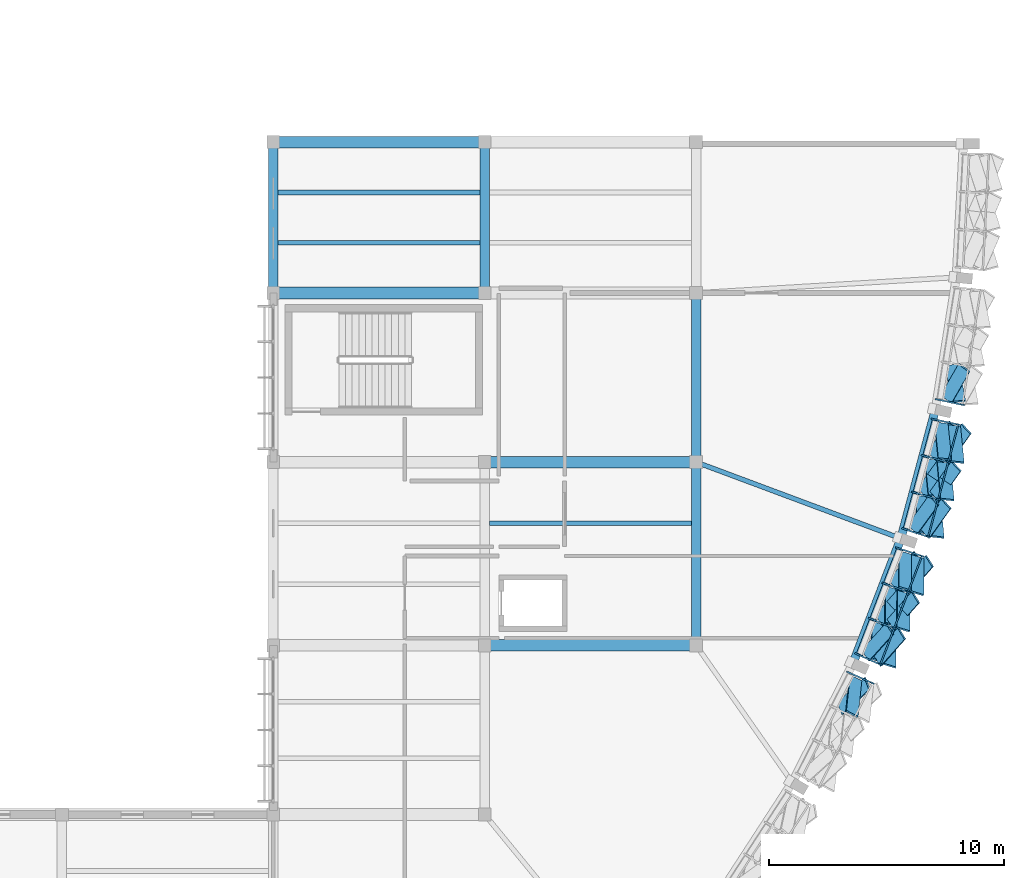
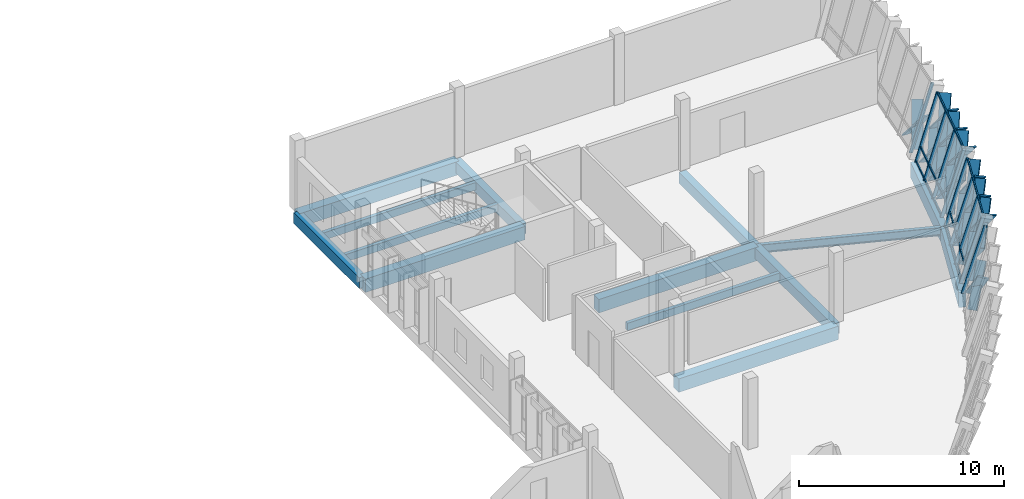
# One storey, part 58 of 94: 44 members, 14 beams, 4 elements without a shape of their own.
"""IFC4 building model written with IfcOpenShell, lengths in metres."""

from ifc_helpers import new_model, si_unit, direction, frame, origin, origin_2d, place, context, subcontext, project, spatial, rectangle, hollow_rectangle, i_section, extrude, material, material_profile, profile_set, type_object, element, aggregate, save


model = new_model("IFC4")

# Units and contexts
model_context = context("Model", 3, precision=1e-05, world=origin(), true_north=direction((0.0, 1.0)))
body_context = subcontext(model_context, "Body", "Model", "MODEL_VIEW")
ifc_project = project(units=[si_unit("LENGTHUNIT", "METRE"), si_unit("AREAUNIT", "SQUARE_METRE"), si_unit("VOLUMEUNIT", "CUBIC_METRE"), si_unit("PLANEANGLEUNIT", "RADIAN"), si_unit("MASSUNIT", "GRAM", prefix="KILO")], contexts=[model_context])

# Site, building, storey
site_placement = place(None, origin())
site = spatial("IfcSite", under=ifc_project, at=site_placement, CompositionType="ELEMENT")
building_placement = place(site_placement, origin())
building = spatial("IfcBuilding", under=site, at=building_placement, Name="Chiffa Square Polytechnic", CompositionType="ELEMENT")
storey_placement = place(building_placement, frame((0.0, 0.0, 18.0)))
storey = spatial("IfcBuildingStorey", under=building, at=storey_placement, Name="L04", CompositionType="ELEMENT", Elevation=18.0)

# Beams
ifc_material_1 = material(Name="Concrete C35/45", Category="concrete")
ifc_material_profile_1 = material_profile(ifc_material_1, rectangle(XDim=0.39990234375, YDim=0.64990234375, at=origin_2d()), Name="RC 400x650")
ifc_profile_set_1 = profile_set([ifc_material_profile_1], Name="Concrete C35/45")
beam_type_1 = type_object("IfcBeamType", Name="BM-RC-400X650", PredefinedType="BEAM", material=ifc_profile_set_1)
for number, where, z_axis, x_axis, name in (
    (1, (148.199951171875, 51.0, -0.56494140625), (0.0, 1.0, 0.0), (-1.0, 0.0, 0.0), "Primary floor girder BM-V1-L04-Y-1482-0510"),
    (2, (157.199951171875, 51.0, -0.56494140625), (0.0, 1.0, 0.0), (-1.0, 0.0, 0.0), "Primary floor girder BM-V1-L04-Y-1572-0510"),
):
    element("IfcBeam", number, at=place(storey_placement, frame(where, z_axis=z_axis, x_axis=x_axis)), inside=storey, type_object=beam_type_1, Name=name, PredefinedType="BEAM", context=body_context, shape_type="SweptSolid", body=[
        extrude(rectangle(XDim=0.39990234375, YDim=0.64990234375, at=origin_2d()), origin(), (0.0, 0.0, 1.0), 6.419921875),
    ])
beam_1_placement = place(storey_placement, frame((166.199951171875, 36.0, -0.56494140625), z_axis=(0.0, 1.0, 0.0), x_axis=(-1.0, 0.0, 0.0)))
element("IfcBeam", 3, at=beam_1_placement, inside=storey, type_object=beam_type_1, Name="Primary floor girder BM-V1-L04-Y-1662-0360", PredefinedType="BEAM", context=body_context, shape_type="SweptSolid", body=[
    extrude(rectangle(XDim=0.39990234375, YDim=0.64990234375, at=origin_2d()), origin(), (0.0, 0.0, 1.0), 7.800048828125),
])
beam_2_placement = place(storey_placement, frame((166.199951171875, 43.800048828125, -0.56494140625), z_axis=(0.0, 1.0, 0.0), x_axis=(-1.0, 0.0, 0.0)))
element("IfcBeam", 4, at=beam_2_placement, inside=storey, type_object=beam_type_1, Name="Primary floor girder BM-V1-L04-Y-1662-0438", PredefinedType="BEAM", context=body_context, shape_type="SweptSolid", body=[
    extrude(rectangle(XDim=0.39990234375, YDim=0.64990234375, at=origin_2d()), origin(), (0.0, 0.0, 1.0), 7.199951171875),
])
ifc_material_2 = material(Name="Concrete C40/50", Category="concrete")
ifc_material_profile_2 = material_profile(ifc_material_2, rectangle(XDim=0.5, YDim=0.800048828125, at=origin_2d()), Name="RC 500x800")
ifc_profile_set_2 = profile_set([ifc_material_profile_2], Name="Concrete C40/50")
beam_type_2 = type_object("IfcBeamType", Name="BM-RC-500X800", PredefinedType="BEAM", material=ifc_profile_set_2)
for number, where, z_axis, x_axis, name in (
    (5, (157.199951171875, 36.0, -0.639892578125), (1.0, 0.0, 0.0), (0.0, 1.0, 0.0), "Primary floor girder BM-V1-L04-X-1572-0360"),
    (6, (157.199951171875, 43.800048828125, -0.639892578125), (1.0, 0.0, 0.0), (0.0, 1.0, 0.0), "Primary floor girder BM-V1-L04-X-1572-0438"),
    (7, (148.199951171875, 51.0, -0.639892578125), (1.0, 0.0, 0.0), (0.0, 1.0, 0.0), "Primary floor girder BM-V1-L04-X-1482-0510"),
    (8, (148.199951171875, 57.419921875, -0.639892578125), (1.0, 0.0, 0.0), (0.0, 1.0, 0.0), "Primary floor girder BM-V1-L04-X-1482-0574"),
):
    element("IfcBeam", number, at=place(storey_placement, frame(where, z_axis=z_axis, x_axis=x_axis)), inside=storey, type_object=beam_type_2, Name=name, PredefinedType="BEAM", context=body_context, shape_type="SweptSolid", body=[
        extrude(rectangle(XDim=0.5, YDim=0.800048828125, at=origin_2d()), origin(), (0.0, 0.0, 1.0), 9.0),
    ])
ifc_material_3 = material(Name="Steel S355", Category="steel")
ifc_material_profile_3 = material_profile(ifc_material_3, i_section(OverallWidth=0.199951171875, OverallDepth=0.5, WebThickness=0.01025390625, FlangeThickness=0.01611328125, FilletRadius=0.02099609375, at=origin_2d()), Name="IPE 500")
ifc_profile_set_3 = profile_set([ifc_material_profile_3], Name="Steel S355")
beam_type_3 = type_object("IfcBeamType", Name="BM-STL-IPE500", PredefinedType="BEAM", material=ifc_profile_set_3)
beam_3_placement = place(storey_placement, frame((174.916015625, 40.547119140625, -0.489990234375), z_axis=(-0.936879114242, 0.349653435987, 0.0), x_axis=(-0.349653435987, -0.936879114242, 0.0)))
element("IfcBeam", 9, at=beam_3_placement, inside=storey, type_object=beam_type_3, Name="Prow radial tie girder BM-V1-RAD-L04-15", PredefinedType="BEAM", context=body_context, shape_type="SweptSolid", body=[
    extrude(i_section(OverallWidth=0.199951171875, OverallDepth=0.5, WebThickness=0.01025390625, FlangeThickness=0.01611328125, FilletRadius=0.02099609375, at=origin_2d()), origin(), (0.0, 0.0, 1.0), 9.30322265625),
])

# Curtain wall, member
ifc_material_4 = material(Name="Aluminium EN AW-6060 T66 and glulam shading", Category="wood")
curtain_wall_type_1 = type_object("IfcCurtainWallType", Name="CW-PROW-LEAN-150", PredefinedType="USERDEFINED", material=ifc_material_4)
curtain_wall_1_placement = place(storey_placement, origin())
curtain_wall_1 = element("IfcCurtainWall", 10, at=curtain_wall_1_placement, inside=storey, type_object=curtain_wall_type_1, Name="Outward-leaning diamond-fin prow curtain wall CW-V1-L04-073", ObjectType="CURTAIN WALL", PredefinedType="USERDEFINED")
ifc_material_5 = material(Name="Aluminium EN AW-6060 T66", Category="aluminium")
ifc_material_profile_4 = material_profile(ifc_material_5, hollow_rectangle(XDim=0.06494140625, YDim=0.179931640625, WallThickness=0.00390625, at=origin_2d()), Name="ALU 65x180x4")
ifc_profile_set_4 = profile_set([ifc_material_profile_4], Name="Aluminium EN AW-6060 T66")
member_type_1 = type_object("IfcMemberType", Name="CWM-ALU-75X180", PredefinedType="MULLION", material=ifc_profile_set_4)
member_1_placement = place(storey_placement, frame((172.680908203125, 34.85009765625, 0.0), z_axis=(0.24863593244, -0.110902358355, 0.962227021036), x_axis=(0.407357331692, 0.913268856535, 0.0)))
member_1 = element("IfcMember", 11, at=member_1_placement, type_object=member_type_1, Name="Leaning prow mullion CW-V1-L04-073-M03", PredefinedType="MULLION", context=body_context, shape_type="SweptSolid", body=[
    extrude(hollow_rectangle(XDim=0.06494140625, YDim=0.179931640625, WallThickness=0.00390625, at=origin_2d()), origin(), (0.0, 0.0, 1.0), 4.0947265625),
])

# Curtain wall, members
curtain_wall_type_2 = type_object("IfcCurtainWallType", Name="CW-PROW-LEAN-300", PredefinedType="USERDEFINED", material=ifc_material_4)
curtain_wall_2_placement = place(storey_placement, origin())
curtain_wall_2 = element("IfcCurtainWall", 12, at=curtain_wall_2_placement, inside=storey, type_object=curtain_wall_type_2, Name="Outward-leaning diamond-fin prow curtain wall CW-V1-L04-074", ObjectType="CURTAIN WALL", PredefinedType="USERDEFINED")
member_2_placement = place(storey_placement, frame((173.030029296875, 35.634033203125, 0.0), z_axis=(0.24863593244, -0.110902358355, 0.962227021036), x_axis=(0.407357331692, 0.913268856535, 0.0)))
member_2 = element("IfcMember", 13, at=member_2_placement, type_object=member_type_1, Name="Leaning prow mullion CW-V1-L04-074-M00", PredefinedType="MULLION", context=body_context, shape_type="SweptSolid", body=[
    extrude(hollow_rectangle(XDim=0.06494140625, YDim=0.179931640625, WallThickness=0.00390625, at=origin_2d()), origin(), (0.0, 0.0, 1.0), 4.0947265625),
])
member_3_placement = place(storey_placement, frame((173.607421875, 37.137939453125, 0.0), z_axis=(0.25205850254, -0.102027938927, 0.962318456113), x_axis=(0.375206216347, 0.926941365575, 0.0)))
member_3 = element("IfcMember", 14, at=member_3_placement, type_object=member_type_1, Name="Leaning prow mullion CW-V1-L04-074-M01", PredefinedType="MULLION", context=body_context, shape_type="SweptSolid", body=[
    extrude(hollow_rectangle(XDim=0.06494140625, YDim=0.179931640625, WallThickness=0.00390625, at=origin_2d()), origin(), (0.0, 0.0, 1.0), 4.09423828125),
])
member_4_placement = place(storey_placement, frame((174.184814453125, 38.64208984375, 0.0), z_axis=(0.255458604315, -0.093143403347, 0.962322818962), x_axis=(0.342552920447, 0.939498534695, 0.0)))
member_4 = element("IfcMember", 15, at=member_4_placement, type_object=member_type_1, Name="Leaning prow mullion CW-V1-L04-074-M02", PredefinedType="MULLION", context=body_context, shape_type="SweptSolid", body=[
    extrude(hollow_rectangle(XDim=0.06494140625, YDim=0.179931640625, WallThickness=0.00390625, at=origin_2d()), origin(), (0.0, 0.0, 1.0), 4.09423828125),
])
member_5_placement = place(storey_placement, frame((174.761962890625, 40.14599609375, 0.0), z_axis=(0.25889094396, -0.084249862694, 0.962225254175), x_axis=(0.309452500225, 0.95091490161, 0.0)))
member_5 = element("IfcMember", 16, at=member_5_placement, type_object=member_type_1, Name="Leaning prow mullion CW-V1-L04-074-M03", PredefinedType="MULLION", context=body_context, shape_type="SweptSolid", body=[
    extrude(hollow_rectangle(XDim=0.06494140625, YDim=0.179931640625, WallThickness=0.00390625, at=origin_2d()), origin(), (0.0, 0.0, 1.0), 4.0947265625),
])

curtain_wall_3_placement = place(storey_placement, origin())
curtain_wall_3 = element("IfcCurtainWall", 17, at=curtain_wall_3_placement, inside=storey, type_object=curtain_wall_type_1, Name="Outward-leaning diamond-fin prow curtain wall CW-V1-L04-075", ObjectType="CURTAIN WALL", PredefinedType="USERDEFINED")
member_6_placement = place(storey_placement, frame((175.027099609375, 40.9619140625, 0.0), z_axis=(0.258835314182, -0.084251163082, 0.962240106029), x_axis=(0.309516957678, 0.950893923058, 0.0)))
member_6 = element("IfcMember", 18, at=member_6_placement, type_object=member_type_1, Name="Leaning prow mullion CW-V1-L04-075-M00", PredefinedType="MULLION", context=body_context, shape_type="SweptSolid", body=[
    extrude(hollow_rectangle(XDim=0.06494140625, YDim=0.179931640625, WallThickness=0.00390625, at=origin_2d()), origin(), (0.0, 0.0, 1.0), 4.094482421875),
])
member_7_placement = place(storey_placement, frame((175.444091796875, 42.517578125, 0.0), z_axis=(0.261307319312, -0.07495739397, 0.962340830456), x_axis=(0.275734995842, 0.961233692745, 0.0)))
member_7 = element("IfcMember", 19, at=member_7_placement, type_object=member_type_1, Name="Leaning prow mullion CW-V1-L04-075-M01", PredefinedType="MULLION", context=body_context, shape_type="SweptSolid", body=[
    extrude(hollow_rectangle(XDim=0.06494140625, YDim=0.179931640625, WallThickness=0.00390625, at=origin_2d()), origin(), (0.0, 0.0, 1.0), 4.09423828125),
])
member_8_placement = place(storey_placement, frame((175.861083984375, 44.0732421875, 0.0), z_axis=(0.263754406278, -0.065714979814, 0.962348769728), x_axis=(0.241761251051, 0.970335765336, 0.0)))
member_8 = element("IfcMember", 20, at=member_8_placement, type_object=member_type_1, Name="Leaning prow mullion CW-V1-L04-075-M02", PredefinedType="MULLION", context=body_context, shape_type="SweptSolid", body=[
    extrude(hollow_rectangle(XDim=0.06494140625, YDim=0.179931640625, WallThickness=0.00390625, at=origin_2d()), origin(), (0.0, 0.0, 1.0), 4.093994140625),
])
member_9_placement = place(storey_placement, frame((176.278076171875, 45.62890625, 0.0), z_axis=(0.266178098485, -0.056407813881, 0.962271987756), x_axis=(0.207313557623, 0.978274546753, 0.0)))
member_9 = element("IfcMember", 21, at=member_9_placement, type_object=member_type_1, Name="Leaning prow mullion CW-V1-L04-075-M03", PredefinedType="MULLION", context=body_context, shape_type="SweptSolid", body=[
    extrude(hollow_rectangle(XDim=0.06494140625, YDim=0.179931640625, WallThickness=0.00390625, at=origin_2d()), origin(), (0.0, 0.0, 1.0), 4.094482421875),
])

# Curtain wall, member
curtain_wall_4_placement = place(storey_placement, origin())
curtain_wall_4 = element("IfcCurtainWall", 22, at=curtain_wall_4_placement, inside=storey, type_object=curtain_wall_type_2, Name="Outward-leaning diamond-fin prow curtain wall CW-V1-L04-076", ObjectType="CURTAIN WALL", PredefinedType="USERDEFINED")
member_10_placement = place(storey_placement, frame((176.4560546875, 46.468994140625, 0.0), z_axis=(0.266178098485, -0.056407813881, 0.962271987756), x_axis=(0.207313557623, 0.978274546753, 0.0)))
member_10 = element("IfcMember", 23, at=member_10_placement, type_object=member_type_1, Name="Leaning prow mullion CW-V1-L04-076-M00", PredefinedType="MULLION", context=body_context, shape_type="SweptSolid", body=[
    extrude(hollow_rectangle(XDim=0.06494140625, YDim=0.179931640625, WallThickness=0.00390625, at=origin_2d()), origin(), (0.0, 0.0, 1.0), 4.094482421875),
])

# Member
ifc_material_6 = material(Name="Glulam GL28h", Category="wood")
ifc_material_profile_5 = material_profile(ifc_material_6, rectangle(XDim=0.080078125, YDim=0.580078125, at=origin_2d()), Name="GL28h 80x580")
ifc_profile_set_5 = profile_set([ifc_material_profile_5], Name="Glulam GL28h")
member_type_2 = type_object("IfcMemberType", Name="CWM-GL-80X580", PredefinedType="MULLION", material=ifc_profile_set_5)
member_11_placement = place(storey_placement, frame((172.333984375, 33.319091796875, 0.0400390625), z_axis=(0.463085021633, 0.424806213002, 0.777876560988), x_axis=(-0.817640085083, -0.133977974713, 0.559923739055)))
member_11 = element("IfcMember", 24, at=member_11_placement, type_object=member_type_2, Name="Diamond glulam fin CW-V1-L04-073-DF05A", PredefinedType="MULLION", context=body_context, shape_type="SweptSolid", body=[
    extrude(rectangle(XDim=0.080078125, YDim=0.580078125, at=origin_2d()), origin(), (0.0, 0.0, 1.0), 2.48095703125),
])

member_12_placement = place(storey_placement, frame((172.985107421875, 34.595947265625, 0.0400390625), z_axis=(-0.065122757149, -0.616382925511, 0.784749078139), x_axis=(0.524943157032, 0.647646382987, 0.552257951041)))
member_12 = element("IfcMember", 25, at=member_12_placement, type_object=member_type_2, Name="Diamond glulam fin CW-V1-L04-073-DF05B", PredefinedType="MULLION", context=body_context, shape_type="SweptSolid", body=[
    extrude(rectangle(XDim=0.080078125, YDim=0.580078125, at=origin_2d()), origin(), (0.0, 0.0, 1.0), 2.459228515625),
])

aggregate(curtain_wall_1, [member_1, member_11, member_12])

member_13_placement = place(storey_placement, frame((173.422119140625, 35.577880859375, 0.0400390625), z_axis=(0.41432375726, 0.460789973028, 0.784862041971), x_axis=(-0.756402859888, -0.305251126116, 0.578512284708)))
member_13 = element("IfcMember", 26, at=member_13_placement, type_object=member_type_2, Name="Diamond glulam fin CW-V1-L04-074-DF01A", PredefinedType="MULLION", context=body_context, shape_type="SweptSolid", body=[
    extrude(rectangle(XDim=0.080078125, YDim=0.580078125, at=origin_2d()), origin(), (0.0, 0.0, 1.0), 2.458984375),
])

member_14_placement = place(storey_placement, frame((173.93603515625, 36.9169921875, 0.0400390625), z_axis=(-0.00609791838, -0.628872421332, 0.777484593467), x_axis=(0.365388988243, 0.7223354935, 0.587130583518)))
member_14 = element("IfcMember", 27, at=member_14_placement, type_object=member_type_2, Name="Diamond glulam fin CW-V1-L04-074-DF01B", PredefinedType="MULLION", context=body_context, shape_type="SweptSolid", body=[
    extrude(rectangle(XDim=0.080078125, YDim=0.580078125, at=origin_2d()), origin(), (0.0, 0.0, 1.0), 2.482177734375),
])

member_15_placement = place(storey_placement, frame((173.9208984375, 35.35595703125, 1.969970703125), z_axis=(0.41512417997, 0.465741846115, 0.781509083749), x_axis=(-0.752984181411, -0.306203985554, 0.582455098506)))
member_15 = element("IfcMember", 28, at=member_15_placement, type_object=member_type_2, Name="Diamond glulam fin CW-V1-L04-074-DF02A", PredefinedType="MULLION", context=body_context, shape_type="SweptSolid", body=[
    extrude(rectangle(XDim=0.080078125, YDim=0.580078125, at=origin_2d()), origin(), (0.0, 0.0, 1.0), 2.469482421875),
])

member_16_placement = place(storey_placement, frame((174.44091796875, 36.7109375, 1.969970703125), z_axis=(-0.008426374981, -0.632468029112, 0.774540630539), x_axis=(0.36796910484, 0.718257690633, 0.590512174074)))
member_16 = element("IfcMember", 29, at=member_16_placement, type_object=member_type_2, Name="Diamond glulam fin CW-V1-L04-074-DF02B", PredefinedType="MULLION", context=body_context, shape_type="SweptSolid", body=[
    extrude(rectangle(XDim=0.080078125, YDim=0.580078125, at=origin_2d()), origin(), (0.0, 0.0, 1.0), 2.49169921875),
])

member_17_placement = place(storey_placement, frame((174.0, 37.08203125, 0.0400390625), z_axis=(0.415312243438, 0.465916686237, 0.781304922508), x_axis=(-0.752869155968, -0.306032682982, 0.582693771152)))
member_17 = element("IfcMember", 30, at=member_17_placement, type_object=member_type_2, Name="Diamond glulam fin CW-V1-L04-074-DF03A", PredefinedType="MULLION", context=body_context, shape_type="SweptSolid", body=[
    extrude(rectangle(XDim=0.080078125, YDim=0.580078125, at=origin_2d()), origin(), (0.0, 0.0, 1.0), 2.47021484375),
])

member_18_placement = place(storey_placement, frame((174.513916015625, 38.4208984375, 0.0400390625), z_axis=(-0.003162557099, -0.624209707344, 0.781250433273), x_axis=(0.362058604056, 0.72753510464, 0.582757444179)))
member_18 = element("IfcMember", 31, at=member_18_placement, type_object=member_type_2, Name="Diamond glulam fin CW-V1-L04-074-DF03B", PredefinedType="MULLION", context=body_context, shape_type="SweptSolid", body=[
    extrude(rectangle(XDim=0.080078125, YDim=0.580078125, at=origin_2d()), origin(), (0.0, 0.0, 1.0), 2.47021484375),
])

member_19_placement = place(storey_placement, frame((174.506103515625, 36.87890625, 1.969970703125), z_axis=(0.416161993491, 0.470212841474, 0.778273138998), x_axis=(-0.749904469166, -0.306578208111, 0.586219318546)))
member_19 = element("IfcMember", 32, at=member_19_placement, type_object=member_type_2, Name="Diamond glulam fin CW-V1-L04-074-DF04A", PredefinedType="MULLION", context=body_context, shape_type="SweptSolid", body=[
    extrude(rectangle(XDim=0.080078125, YDim=0.580078125, at=origin_2d()), origin(), (0.0, 0.0, 1.0), 2.479736328125),
])

member_20_placement = place(storey_placement, frame((175.02587890625, 38.23291015625, 1.969970703125), z_axis=(-0.006004393438, -0.628098926677, 0.778110329945), x_axis=(0.365295646872, 0.722969674546, 0.586407656893)))
member_20 = element("IfcMember", 33, at=member_20_placement, type_object=member_type_2, Name="Diamond glulam fin CW-V1-L04-074-DF04B", PredefinedType="MULLION", context=body_context, shape_type="SweptSolid", body=[
    extrude(rectangle(XDim=0.080078125, YDim=0.580078125, at=origin_2d()), origin(), (0.0, 0.0, 1.0), 2.480224609375),
])

member_21_placement = place(storey_placement, frame((174.576904296875, 38.5869140625, 0.0400390625), z_axis=(0.416414621471, 0.470729572097, 0.777825515767), x_axis=(-0.749552786162, -0.306448105107, 0.586736891318)))
member_21 = element("IfcMember", 34, at=member_21_placement, type_object=member_type_2, Name="Diamond glulam fin CW-V1-L04-074-DF05A", PredefinedType="MULLION", context=body_context, shape_type="SweptSolid", body=[
    extrude(rectangle(XDim=0.080078125, YDim=0.580078125, at=origin_2d()), origin(), (0.0, 0.0, 1.0), 2.481201171875),
])

member_22_placement = place(storey_placement, frame((175.091064453125, 39.925048828125, 0.0400390625), z_axis=(-0.000397103586, -0.61977942194, 0.784775961946), x_axis=(0.358837298589, 0.732421714268, 0.578614055835)))
member_22 = element("IfcMember", 35, at=member_22_placement, type_object=member_type_2, Name="Diamond glulam fin CW-V1-L04-074-DF05B", PredefinedType="MULLION", context=body_context, shape_type="SweptSolid", body=[
    extrude(rectangle(XDim=0.080078125, YDim=0.580078125, at=origin_2d()), origin(), (0.0, 0.0, 1.0), 2.459228515625),
])

member_23_placement = place(storey_placement, frame((175.090087890625, 38.40087890625, 1.969970703125), z_axis=(0.417003480648, 0.475315365721, 0.774715044541), x_axis=(-0.746372568877, -0.307341617617, 0.590312729414)))
member_23 = element("IfcMember", 36, at=member_23_placement, type_object=member_type_2, Name="Diamond glulam fin CW-V1-L04-074-DF06A", PredefinedType="MULLION", context=body_context, shape_type="SweptSolid", body=[
    extrude(rectangle(XDim=0.080078125, YDim=0.580078125, at=origin_2d()), origin(), (0.0, 0.0, 1.0), 2.4912109375),
])

member_24_placement = place(storey_placement, frame((175.610107421875, 39.7548828125, 1.969970703125), z_axis=(-0.002867661412, -0.623666914596, 0.781684946866), x_axis=(0.361719636685, 0.728110269837, 0.582249379042)))
member_24 = element("IfcMember", 37, at=member_24_placement, type_object=member_type_2, Name="Diamond glulam fin CW-V1-L04-074-DF06B", PredefinedType="MULLION", context=body_context, shape_type="SweptSolid", body=[
    extrude(rectangle(XDim=0.080078125, YDim=0.580078125, at=origin_2d()), origin(), (0.0, 0.0, 1.0), 2.468994140625),
])

member_25_placement = place(storey_placement, frame((175.423095703125, 40.947021484375, 0.0400390625), z_axis=(0.363932153123, 0.501722068162, 0.784747318723), x_axis=(-0.654579298055, -0.461615551469, 0.598696104212)))
member_25 = element("IfcMember", 38, at=member_25_placement, type_object=member_type_2, Name="Diamond glulam fin CW-V1-L04-075-DF01A", PredefinedType="MULLION", context=body_context, shape_type="SweptSolid", body=[
    extrude(rectangle(XDim=0.080078125, YDim=0.580078125, at=origin_2d()), origin(), (0.0, 0.0, 1.0), 2.459228515625),
])

member_26_placement = place(storey_placement, frame((175.7939453125, 42.33203125, 0.0400390625), z_axis=(0.059618824062, -0.62580089086, 0.777700997052), x_axis=(0.186409537243, 0.772361601426, 0.607214164086)))
member_26 = element("IfcMember", 39, at=member_26_placement, type_object=member_type_2, Name="Diamond glulam fin CW-V1-L04-075-DF01B", PredefinedType="MULLION", context=body_context, shape_type="SweptSolid", body=[
    extrude(rectangle(XDim=0.080078125, YDim=0.580078125, at=origin_2d()), origin(), (0.0, 0.0, 1.0), 2.481689453125),
])

member_27_placement = place(storey_placement, frame((175.94189453125, 40.779052734375, 1.969970703125), z_axis=(0.364536359783, 0.506218107429, 0.781573074067), x_axis=(-0.65119210669, -0.461381603378, 0.602557761753)))
member_27 = element("IfcMember", 40, at=member_27_placement, type_object=member_type_2, Name="Diamond glulam fin CW-V1-L04-075-DF02A", PredefinedType="MULLION", context=body_context, shape_type="SweptSolid", body=[
    extrude(rectangle(XDim=0.080078125, YDim=0.580078125, at=origin_2d()), origin(), (0.0, 0.0, 1.0), 2.46923828125),
])

member_28_placement = place(storey_placement, frame((176.318115234375, 42.180908203125, 1.969970703125), z_axis=(0.057706050954, -0.629965887321, 0.774475947009), x_axis=(0.189499566829, 0.768576836132, 0.611047920489)))
member_28 = element("IfcMember", 41, at=member_28_placement, type_object=member_type_2, Name="Diamond glulam fin CW-V1-L04-075-DF02B", PredefinedType="MULLION", context=body_context, shape_type="SweptSolid", body=[
    extrude(rectangle(XDim=0.080078125, YDim=0.580078125, at=origin_2d()), origin(), (0.0, 0.0, 1.0), 2.491943359375),
])

member_29_placement = place(storey_placement, frame((175.840087890625, 42.5029296875, 0.0400390625), z_axis=(0.364304659768, 0.506824279786, 0.781288208212), x_axis=(-0.650630434634, -0.461723725399, 0.602902346099)))
member_29 = element("IfcMember", 42, at=member_29_placement, type_object=member_type_2, Name="Diamond glulam fin CW-V1-L04-075-DF03A", PredefinedType="MULLION", context=body_context, shape_type="SweptSolid", body=[
    extrude(rectangle(XDim=0.080078125, YDim=0.580078125, at=origin_2d()), origin(), (0.0, 0.0, 1.0), 2.47021484375),
])

member_30_placement = place(storey_placement, frame((176.2109375, 43.887939453125, 0.0400390625), z_axis=(0.061973515072, -0.62102008803, 0.781340728295), x_axis=(0.182596526851, 0.776687737283, 0.602838840103)))
member_30 = element("IfcMember", 43, at=member_30_placement, type_object=member_type_2, Name="Diamond glulam fin CW-V1-L04-075-DF03B", PredefinedType="MULLION", context=body_context, shape_type="SweptSolid", body=[
    extrude(rectangle(XDim=0.080078125, YDim=0.580078125, at=origin_2d()), origin(), (0.0, 0.0, 1.0), 2.469970703125),
])

member_31_placement = place(storey_placement, frame((176.364013671875, 42.35400390625, 1.969970703125), z_axis=(0.364892411715, 0.511262796452, 0.778115596063), x_axis=(-0.647293006864, -0.461415813264, 0.606718394755)))
member_31 = element("IfcMember", 44, at=member_31_placement, type_object=member_type_2, Name="Diamond glulam fin CW-V1-L04-075-DF04A", PredefinedType="MULLION", context=body_context, shape_type="SweptSolid", body=[
    extrude(rectangle(XDim=0.080078125, YDim=0.580078125, at=origin_2d()), origin(), (0.0, 0.0, 1.0), 2.480224609375),
])

member_32_placement = place(storey_placement, frame((176.739990234375, 43.7548828125, 1.969970703125), z_axis=(0.060044189776, -0.62524703845, 0.778113639633), x_axis=(0.185786107306, 0.77289939261, 0.606720735788)))
member_32 = element("IfcMember", 45, at=member_32_placement, type_object=member_type_2, Name="Diamond glulam fin CW-V1-L04-075-DF04B", PredefinedType="MULLION", context=body_context, shape_type="SweptSolid", body=[
    extrude(rectangle(XDim=0.080078125, YDim=0.580078125, at=origin_2d()), origin(), (0.0, 0.0, 1.0), 2.480224609375),
])

member_33_placement = place(storey_placement, frame((176.257080078125, 44.05908203125, 0.0400390625), z_axis=(0.36467199716, 0.512134452985, 0.77764557258), x_axis=(-0.646525976703, -0.461751763081, 0.607280388898)))
member_33 = element("IfcMember", 46, at=member_33_placement, type_object=member_type_2, Name="Diamond glulam fin CW-V1-L04-075-DF05A", PredefinedType="MULLION", context=body_context, shape_type="SweptSolid", body=[
    extrude(rectangle(XDim=0.080078125, YDim=0.580078125, at=origin_2d()), origin(), (0.0, 0.0, 1.0), 2.481689453125),
])

member_34_placement = place(storey_placement, frame((176.6279296875, 45.444091796875, 0.0400390625), z_axis=(0.064229085677, -0.616480095912, 0.784746402284), x_axis=(0.178876521929, 0.780746324173, 0.598697224975)))
member_34 = element("IfcMember", 47, at=member_34_placement, type_object=member_type_2, Name="Diamond glulam fin CW-V1-L04-075-DF05B", PredefinedType="MULLION", context=body_context, shape_type="SweptSolid", body=[
    extrude(rectangle(XDim=0.080078125, YDim=0.580078125, at=origin_2d()), origin(), (0.0, 0.0, 1.0), 2.459228515625),
])

member_35_placement = place(storey_placement, frame((176.785888671875, 43.927978515625, 1.969970703125), z_axis=(0.365168857949, 0.516800132655, 0.774318621804), x_axis=(-0.642987794833, -0.461475668437, 0.611233918509)))
member_35 = element("IfcMember", 48, at=member_35_placement, type_object=member_type_2, Name="Diamond glulam fin CW-V1-L04-075-DF06A", PredefinedType="MULLION", context=body_context, shape_type="SweptSolid", body=[
    extrude(rectangle(XDim=0.080078125, YDim=0.580078125, at=origin_2d()), origin(), (0.0, 0.0, 1.0), 2.492431640625),
])

member_36_placement = place(storey_placement, frame((177.162109375, 45.330078125, 1.969970703125), z_axis=(0.062299471705, -0.620522515788, 0.781710037818), x_axis=(0.182095382363, 0.777151970808, 0.60239197039)))
member_36 = element("IfcMember", 49, at=member_36_placement, type_object=member_type_2, Name="Diamond glulam fin CW-V1-L04-075-DF06B", PredefinedType="MULLION", context=body_context, shape_type="SweptSolid", body=[
    extrude(rectangle(XDim=0.080078125, YDim=0.580078125, at=origin_2d()), origin(), (0.0, 0.0, 1.0), 2.46875),
])

member_37_placement = place(storey_placement, frame((176.85107421875, 46.49609375, 0.0400390625), z_axis=(0.309495652556, 0.536776868052, 0.784909571208), x_axis=(-0.522757064193, -0.593467104118, 0.611981901828)))
member_37 = element("IfcMember", 50, at=member_37_placement, type_object=member_type_2, Name="Diamond glulam fin CW-V1-L04-076-DF01A", PredefinedType="MULLION", context=body_context, shape_type="SweptSolid", body=[
    extrude(rectangle(XDim=0.080078125, YDim=0.580078125, at=origin_2d()), origin(), (0.0, 0.0, 1.0), 2.458740234375),
])

member_38_placement = place(storey_placement, frame((177.075927734375, 47.912109375, 0.0400390625), z_axis=(0.124551200303, -0.616164429302, 0.777707139331), x_axis=(0.001141466147, 0.783898991667, 0.620887323045)))
member_38 = element("IfcMember", 51, at=member_38_placement, type_object=member_type_2, Name="Diamond glulam fin CW-V1-L04-076-DF01B", PredefinedType="MULLION", context=body_context, shape_type="SweptSolid", body=[
    extrude(rectangle(XDim=0.080078125, YDim=0.580078125, at=origin_2d()), origin(), (0.0, 0.0, 1.0), 2.4814453125),
])

aggregate(curtain_wall_4, [member_10, member_37, member_38])

ifc_material_profile_6 = material_profile(ifc_material_5, hollow_rectangle(XDim=0.06494140625, YDim=0.139892578125, WallThickness=0.00390625, at=origin_2d()), Name="ALU 65x140x4")
ifc_profile_set_6 = profile_set([ifc_material_profile_6], Name="Aluminium EN AW-6060 T66")
member_type_3 = type_object("IfcMemberType", Name="CWT-ALU-75X140", PredefinedType="USERDEFINED", material=ifc_profile_set_6)
member_39_placement = place(storey_placement, frame((173.040283203125, 35.62939453125, 0.0400390625), z_axis=(0.35836308347, 0.933582294394, 0.0), x_axis=(-0.933582294394, 0.35836308347, 0.0)))
member_39 = element("IfcMember", 52, at=member_39_placement, type_object=member_type_3, Name="Leaning prow transom CW-V1-L04-074-T01", ObjectType="TRANSOM", PredefinedType="USERDEFINED", context=body_context, shape_type="SweptSolid", body=[
    extrude(hollow_rectangle(XDim=0.06494140625, YDim=0.139892578125, WallThickness=0.00390625, at=origin_2d()), origin(), (0.0, 0.0, 1.0), 4.834228515625),
])

member_40_placement = place(storey_placement, frame((173.24951171875, 35.5361328125, 0.85009765625), z_axis=(0.358409901559, 0.933564321546, 0.0), x_axis=(-0.933564321546, 0.358409901559, 0.0)))
member_40 = element("IfcMember", 53, at=member_40_placement, type_object=member_type_3, Name="Leaning prow transom CW-V1-L04-074-T02", ObjectType="TRANSOM", PredefinedType="USERDEFINED", context=body_context, shape_type="SweptSolid", body=[
    extrude(hollow_rectangle(XDim=0.06494140625, YDim=0.139892578125, WallThickness=0.00390625, at=origin_2d()), origin(), (0.0, 0.0, 1.0), 4.858154296875),
])

member_41_placement = place(storey_placement, frame((174.03759765625, 35.1845703125, 3.89990234375), z_axis=(0.358417004892, 0.933561594435, 0.0), x_axis=(-0.933561594435, 0.358417004892, 0.0)))
member_41 = element("IfcMember", 54, at=member_41_placement, type_object=member_type_3, Name="Leaning prow transom CW-V1-L04-074-T03", ObjectType="TRANSOM", PredefinedType="USERDEFINED", context=body_context, shape_type="SweptSolid", body=[
    extrude(hollow_rectangle(XDim=0.06494140625, YDim=0.139892578125, WallThickness=0.00390625, at=origin_2d()), origin(), (0.0, 0.0, 1.0), 4.94873046875),
])

aggregate(curtain_wall_2, [member_2, member_3, member_4, member_5, member_39, member_40, member_41, member_13, member_14, member_15, member_16, member_17, member_18, member_19, member_20, member_21, member_22, member_23, member_24])

member_42_placement = place(storey_placement, frame((175.037841796875, 40.95849609375, 0.0400390625), z_axis=(0.258891791557, 0.965906330999, 0.0), x_axis=(-0.965906330999, 0.258891791557, 0.0)))
member_42 = element("IfcMember", 55, at=member_42_placement, type_object=member_type_3, Name="Leaning prow transom CW-V1-L04-075-T01", ObjectType="TRANSOM", PredefinedType="USERDEFINED", context=body_context, shape_type="SweptSolid", body=[
    extrude(hollow_rectangle(XDim=0.06494140625, YDim=0.139892578125, WallThickness=0.00390625, at=origin_2d()), origin(), (0.0, 0.0, 1.0), 4.8330078125),
])

member_43_placement = place(storey_placement, frame((175.255615234375, 40.8876953125, 0.85009765625), z_axis=(0.258916982222, 0.965899578795, 0.0), x_axis=(-0.965899578795, 0.258916982222, 0.0)))
member_43 = element("IfcMember", 56, at=member_43_placement, type_object=member_type_3, Name="Leaning prow transom CW-V1-L04-075-T02", ObjectType="TRANSOM", PredefinedType="USERDEFINED", context=body_context, shape_type="SweptSolid", body=[
    extrude(hollow_rectangle(XDim=0.06494140625, YDim=0.139892578125, WallThickness=0.00390625, at=origin_2d()), origin(), (0.0, 0.0, 1.0), 4.85693359375),
])

member_44_placement = place(storey_placement, frame((176.076171875, 40.62060546875, 3.89990234375), z_axis=(0.258823220715, 0.965924707427, 0.0), x_axis=(-0.965924707427, 0.258823220715, 0.0)))
member_44 = element("IfcMember", 57, at=member_44_placement, type_object=member_type_3, Name="Leaning prow transom CW-V1-L04-075-T03", ObjectType="TRANSOM", PredefinedType="USERDEFINED", context=body_context, shape_type="SweptSolid", body=[
    extrude(hollow_rectangle(XDim=0.06494140625, YDim=0.139892578125, WallThickness=0.00390625, at=origin_2d()), origin(), (0.0, 0.0, 1.0), 4.948486328125),
])

aggregate(curtain_wall_3, [member_6, member_7, member_8, member_9, member_42, member_43, member_44, member_25, member_26, member_27, member_28, member_29, member_30, member_31, member_32, member_33, member_34, member_35, member_36])

# Beams
ifc_material_profile_7 = material_profile(ifc_material_6, rectangle(XDim=0.199951171875, YDim=0.43994140625, at=origin_2d()), Name="GL28h 200x440")
ifc_profile_set_7 = profile_set([ifc_material_profile_7], Name="Glulam GL28h")
beam_type_4 = type_object("IfcBeamType", Name="JST-GL-200X440", PredefinedType="JOIST", material=ifc_profile_set_7)
for number, where, z_axis, x_axis, name in (
    (58, (148.39794921875, 53.139892578125, -0.4599609375), (1.0, 0.0, 0.0), (0.0, 1.0, 0.0), "Secondary floor joist JST-V1-L04-1482-0531"),
    (59, (148.39794921875, 55.280029296875, -0.4599609375), (1.0, 0.0, 0.0), (0.0, 1.0, 0.0), "Secondary floor joist JST-V1-L04-1482-0553"),
    (60, (157.39794921875, 41.199951171875, -0.4599609375), (1.0, 0.0, 0.0), (0.0, 1.0, 0.0), "Secondary floor joist JST-V1-L04-1572-0412"),
):
    element("IfcBeam", number, at=place(storey_placement, frame(where, z_axis=z_axis, x_axis=x_axis)), inside=storey, type_object=beam_type_4, Name=name, PredefinedType="JOIST", context=body_context, shape_type="SweptSolid", body=[
        extrude(rectangle(XDim=0.199951171875, YDim=0.43994140625, at=origin_2d()), origin(), (0.0, 0.0, 1.0), 8.60400390625),
    ])
ifc_material_7 = material(Name="Glulam GL32c", Category="wood")
ifc_material_profile_8 = material_profile(ifc_material_7, rectangle(XDim=0.360107421875, YDim=0.89990234375, at=origin_2d()), Name="GL32c 360x900")
ifc_profile_set_8 = profile_set([ifc_material_profile_8], Name="Glulam GL32c")
beam_type_5 = type_object("IfcBeamType", Name="RB-GL-360X900", PredefinedType="SPANDREL", material=ifc_profile_set_8)
beam_4_placement = place(storey_placement, frame((172.8759765625, 35.23291015625, -0.68994140625), z_axis=(0.358384081345, 0.93357423392, 0.0), x_axis=(-0.93357423392, 0.358384081345, 0.0)))
element("IfcBeam", 61, at=beam_4_placement, inside=storey, type_object=beam_type_5, Name="Prow perimeter edge beam RB-V1-PROW-L04-14", PredefinedType="SPANDREL", context=body_context, shape_type="SweptSolid", body=[
    extrude(rectangle(XDim=0.360107421875, YDim=0.89990234375, at=origin_2d()), origin(), (0.0, 0.0, 1.0), 5.6923828125),
])
beam_5_placement = place(storey_placement, frame((174.916015625, 40.547119140625, -0.68994140625), z_axis=(0.258824005807, 0.965924497059, 0.0), x_axis=(-0.965924497059, 0.258824005807, 0.0)))
element("IfcBeam", 62, at=beam_5_placement, inside=storey, type_object=beam_type_5, Name="Prow perimeter edge beam RB-V1-PROW-L04-15", PredefinedType="SPANDREL", context=body_context, shape_type="SweptSolid", body=[
    extrude(rectangle(XDim=0.360107421875, YDim=0.89990234375, at=origin_2d()), origin(), (0.0, 0.0, 1.0), 5.690673828125),
])

save(model, "model.ifc")
